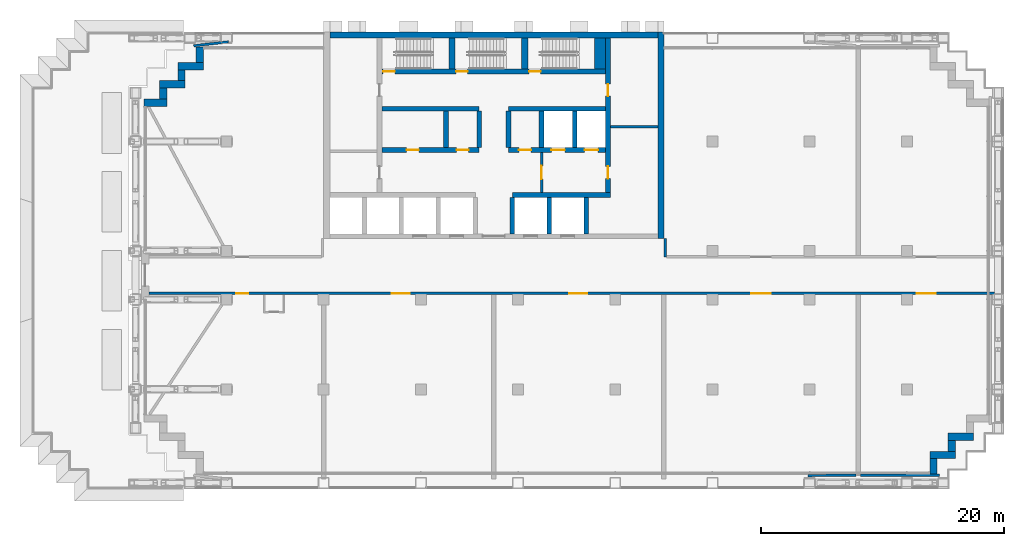
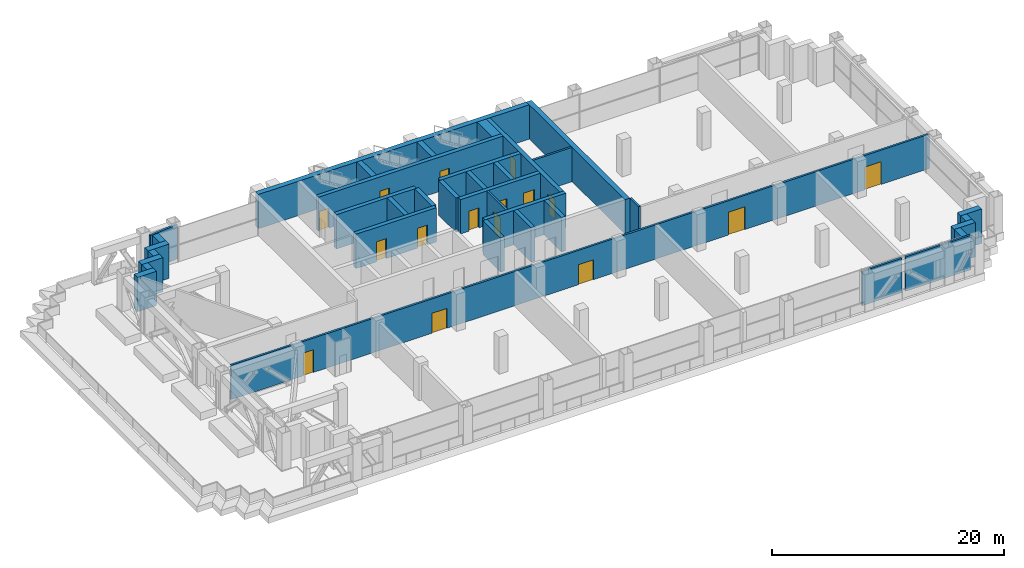
# One storey, part 9 of 19: 37 walls, 16 doors, 16 openings.
"""IFC4 building model written with IfcOpenShell, lengths in metres."""

from ifc_helpers import new_model, si_unit, direction, frame, frame_2d, origin, place, context, subcontext, project, spatial, rectangle, extrude, material, layer, layer_set, type_object, element, fill, save


model = new_model("IFC4")

# Units and contexts
model_context = context("Model", 3, precision=1e-05, world=origin(), true_north=direction((0.0, 1.0)))
body_context = subcontext(model_context, "Body", "Model", "MODEL_VIEW")
ifc_project = project(units=[si_unit("LENGTHUNIT", "METRE"), si_unit("AREAUNIT", "SQUARE_METRE"), si_unit("VOLUMEUNIT", "CUBIC_METRE"), si_unit("PLANEANGLEUNIT", "RADIAN"), si_unit("MASSUNIT", "GRAM", prefix="KILO")], contexts=[model_context])

# Site, building, storey
site_placement = place(None, origin())
site = spatial("IfcSite", under=ifc_project, at=site_placement, CompositionType="ELEMENT")
building_placement = place(site_placement, origin())
building = spatial("IfcBuilding", under=site, at=building_placement, Name="Vidyagriha Tower", CompositionType="ELEMENT")
storey_placement = place(building_placement, frame((0.0, 0.0, 73.60009765625)))
storey = spatial("IfcBuildingStorey", under=building, at=storey_placement, Name="L18", CompositionType="ELEMENT", Elevation=73.60009765625)

# Walls
ifc_material_1 = material(Name="Precast concrete C40/50 with brick facing", Category="concrete")
ifc_layer_1 = layer(ifc_material_1, 0.60009765625)
ifc_layer_set_1 = layer_set([ifc_layer_1], Name="Precast concrete C40/50 with brick facing")
wall_type_1 = type_object("IfcWallType", Name="Brick-faced precast wall 600", PredefinedType="STANDARD", material=ifc_layer_set_1)
wall_1_placement = place(storey_placement, frame((-24.199951171875, 18.780029296875, 0.0), z_axis=(0.0, 0.0, 1.0), x_axis=(0.0, -1.0, 0.0)))
element("IfcWall", 1, at=wall_1_placement, inside=storey, type_object=wall_type_1, Name="Stepped corner wall L18 R10", PredefinedType="STANDARD", context=body_context, shape_type="SweptSolid", body=[
    extrude(rectangle(XDim=1.280029296875, YDim=0.60009765625, at=frame_2d((0.64013671875, 0.0))), origin(), (0.0, 0.0, 1.0), 3.619873046875),
])
wall_2_placement = place(storey_placement, frame((-23.89990234375, 17.199951171875, 0.0), z_axis=(0.0, 0.0, 1.0), x_axis=(-1.0, 0.0, 0.0)))
element("IfcWall", 2, at=wall_2_placement, inside=storey, type_object=wall_type_1, Name="Stepped corner wall L18 R11", PredefinedType="STANDARD", context=body_context, shape_type="SweptSolid", body=[
    extrude(rectangle(XDim=2.10009765625, YDim=0.60009765625, at=frame_2d((1.050048828125, 0.0))), origin(), (0.0, 0.0, 1.0), 3.619873046875),
])
wall_3_placement = place(storey_placement, frame((-25.699951171875, 16.89990234375, 0.0), z_axis=(0.0, 0.0, 1.0), x_axis=(0.0, -1.0, 0.0)))
element("IfcWall", 3, at=wall_3_placement, inside=storey, type_object=wall_type_1, Name="Stepped corner wall L18 R12", PredefinedType="STANDARD", context=body_context, shape_type="SweptSolid", body=[
    extrude(rectangle(XDim=0.89990234375, YDim=0.60009765625, at=frame_2d((0.449951171875, 0.0))), origin(), (0.0, 0.0, 1.0), 3.619873046875),
])
wall_4_placement = place(storey_placement, frame((-25.39990234375, 15.699951171875, 0.0), z_axis=(0.0, 0.0, 1.0), x_axis=(-1.0, 0.0, 0.0)))
element("IfcWall", 4, at=wall_4_placement, inside=storey, type_object=wall_type_1, Name="Stepped corner wall L18 R13", PredefinedType="STANDARD", context=body_context, shape_type="SweptSolid", body=[
    extrude(rectangle(XDim=2.10009765625, YDim=0.60009765625, at=frame_2d((1.050048828125, 0.0))), origin(), (0.0, 0.0, 1.0), 3.619873046875),
])
wall_5_placement = place(storey_placement, frame((-27.199951171875, 15.39990234375, 0.0), z_axis=(0.0, 0.0, 1.0), x_axis=(0.0, -1.0, 0.0)))
element("IfcWall", 5, at=wall_5_placement, inside=storey, type_object=wall_type_1, Name="Stepped corner wall L18 R14", PredefinedType="STANDARD", context=body_context, shape_type="SweptSolid", body=[
    extrude(rectangle(XDim=0.89990234375, YDim=0.60009765625, at=frame_2d((0.449951171875, 0.0))), origin(), (0.0, 0.0, 1.0), 3.619873046875),
])
wall_6_placement = place(storey_placement, frame((-26.89990234375, 14.199951171875, 0.0), z_axis=(0.0, 0.0, 1.0), x_axis=(-1.0, 0.0, 0.0)))
element("IfcWall", 6, at=wall_6_placement, inside=storey, type_object=wall_type_1, Name="Stepped corner wall L18 R15", PredefinedType="STANDARD", context=body_context, shape_type="SweptSolid", body=[
    extrude(rectangle(XDim=1.880126953125, YDim=0.60009765625, at=frame_2d((0.93994140625, 0.0))), origin(), (0.0, 0.0, 1.0), 3.619873046875),
])
wall_7_placement = place(storey_placement, frame((36.199951171875, -16.3798828125, 0.0), z_axis=(0.0, 0.0, 1.0), x_axis=(0.0, 1.0, 0.0)))
element("IfcWall", 7, at=wall_7_placement, inside=storey, type_object=wall_type_1, Name="Stepped corner wall L18 R24", PredefinedType="STANDARD", context=body_context, shape_type="SweptSolid", body=[
    extrude(rectangle(XDim=1.27978515625, YDim=0.60009765625, at=frame_2d((0.639892578125, 0.0))), origin(), (0.0, 0.0, 1.0), 3.619873046875),
])
wall_8_placement = place(storey_placement, frame((35.89990234375, -14.800048828125, 0.0)))
element("IfcWall", 8, at=wall_8_placement, inside=storey, type_object=wall_type_1, Name="Stepped corner wall L18 R25", PredefinedType="STANDARD", context=body_context, shape_type="SweptSolid", body=[
    extrude(rectangle(XDim=2.10009765625, YDim=0.60009765625, at=frame_2d((1.050048828125, 0.0))), origin(), (0.0, 0.0, 1.0), 3.619873046875),
])
wall_9_placement = place(storey_placement, frame((37.699951171875, -14.5, 0.0), z_axis=(0.0, 0.0, 1.0), x_axis=(0.0, 1.0, 0.0)))
element("IfcWall", 9, at=wall_9_placement, inside=storey, type_object=wall_type_1, Name="Stepped corner wall L18 R26", PredefinedType="STANDARD", context=body_context, shape_type="SweptSolid", body=[
    extrude(rectangle(XDim=0.89990234375, YDim=0.60009765625, at=frame_2d((0.449951171875, 0.0))), origin(), (0.0, 0.0, 1.0), 3.619873046875),
])
wall_10_placement = place(storey_placement, frame((37.39990234375, -13.300048828125, 0.0)))
element("IfcWall", 10, at=wall_10_placement, inside=storey, type_object=wall_type_1, Name="Stepped corner wall L18 R27", PredefinedType="STANDARD", context=body_context, shape_type="SweptSolid", body=[
    extrude(rectangle(XDim=2.10009765625, YDim=0.60009765625, at=frame_2d((1.050048828125, 0.0))), origin(), (0.0, 0.0, 1.0), 3.619873046875),
])

# Wall, openings, doors
ifc_material_2 = material(Name="Concrete C60/75", Category="concrete")
ifc_layer_2 = layer(ifc_material_2, 0.39990234375)
ifc_layer_set_2 = layer_set([ifc_layer_2], Name="Concrete C60/75")
wall_type_2 = type_object("IfcWallType", Name="Core shear wall 400 mm", PredefinedType="SHEAR", material=ifc_layer_set_2)
wall_11_placement = place(storey_placement, frame((9.39990234375, 6.800048828125, 0.0), z_axis=(0.0, 0.0, 1.0), x_axis=(0.0, 1.0, 0.0)))
wall_11 = element("IfcWall", 11, at=wall_11_placement, inside=storey, type_object=wall_type_2, Name="Core east spine wall", PredefinedType="SHEAR", context=body_context, shape_type="SweptSolid", body=[
    extrude(rectangle(XDim=12.699951171875, YDim=0.39990234375, at=frame_2d((6.35009765625, 0.0))), origin(), (0.0, 0.0, 1.0), 3.619873046875),
])
opening_1_placement = place(wall_11_placement, frame((1.14990234375, 0.0, 0.0)))
opening_1 = element("IfcOpeningElement", 12, at=opening_1_placement, cuts=wall_11, Name="Opening D18-12", PredefinedType="OPENING", context=body_context, shape_type="SweptSolid", body=[
    extrude(rectangle(XDim=1.0, YDim=2.10009765625, at=frame_2d((0.5, 1.050048828125))), frame((0.0, 0.2099609375, 0.0), z_axis=(0.0, -1.0, 0.0), x_axis=(1.0, 0.0, 0.0)), (0.0, 0.0, 1.0), 0.419921875),
])
opening_2_placement = place(wall_11_placement, frame((7.925048828125, 0.0, 0.0)))
opening_2 = element("IfcOpeningElement", 13, at=opening_2_placement, cuts=wall_11, Name="Opening D18-13", PredefinedType="OPENING", context=body_context, shape_type="SweptSolid", body=[
    extrude(rectangle(XDim=1.0, YDim=2.10009765625, at=frame_2d((0.5, 1.050048828125))), frame((0.0, 0.2099609375, 0.0), z_axis=(0.0, -1.0, 0.0), x_axis=(1.0, 0.0, 0.0)), (0.0, 0.0, 1.0), 0.419921875),
])
ifc_material_3 = material(Name="Hollow metal door leaf")
door_type_1 = type_object("IfcDoorType", Name="Core room door 1000 x 2100 mm EI 60", OperationType="NOTDEFINED", PredefinedType="DOOR", material=ifc_material_3)
door_1_placement = place(opening_1_placement, origin())
door_1 = element("IfcDoor", 14, at=door_1_placement, inside=storey, type_object=door_type_1, Name="Door Riser Room 18.E1", OperationType="SINGLE_SWING_RIGHT", OverallHeight=2.10009765625, OverallWidth=1.0, PredefinedType="DOOR", context=body_context, shape_type="SweptSolid", body=[
    extrude(rectangle(XDim=1.0, YDim=2.10009765625, at=frame_2d((0.5, 1.050048828125))), frame((0.0, 0.02490234375, 0.0), z_axis=(0.0, -1.0, 0.0), x_axis=(1.0, 0.0, 0.0)), (0.0, 0.0, 1.0), 0.050048828125),
])
fill(opening_1, door_1)
door_2_placement = place(opening_2_placement, origin())
door_2 = element("IfcDoor", 15, at=door_2_placement, inside=storey, type_object=door_type_1, Name="Door Switchgear Room 18.E2", OperationType="SINGLE_SWING_LEFT", OverallHeight=2.10009765625, OverallWidth=1.0, PredefinedType="DOOR", context=body_context, shape_type="SweptSolid", body=[
    extrude(rectangle(XDim=1.0, YDim=2.10009765625, at=frame_2d((0.5, 1.050048828125))), frame((0.0, 0.02490234375, 0.0), z_axis=(0.0, -1.0, 0.0), x_axis=(1.0, 0.0, 0.0)), (0.0, 0.0, 1.0), 0.050048828125),
])
fill(opening_2, door_2)

# Walls
wall_12_placement = place(storey_placement, frame((1.522216796875, 6.60009765625, 0.0)))
element("IfcWall", 16, at=wall_12_placement, inside=storey, type_object=wall_type_2, Name="Core lobby south wall east", PredefinedType="SHEAR", context=body_context, shape_type="SweptSolid", body=[
    extrude(rectangle(XDim=8.077880859375, YDim=0.39990234375, at=frame_2d((4.0390625, 0.0))), origin(), (0.0, 0.0, 1.0), 3.619873046875),
])
for number, where, z_axis, x_axis, name in (
    (17, (1.522216796875, 3.39990234375, 0.0), (0.0, 0.0, 1.0), (0.0, 1.0, 0.0), "Core bay wall S5"),
    (18, (4.566650390625, 3.39990234375, 0.0), (0.0, 0.0, 1.0), (0.0, 1.0, 0.0), "Core bay wall S6"),
    (19, (7.611083984375, 3.39990234375, 0.0), (0.0, 0.0, 1.0), (0.0, 1.0, 0.0), "Core bay wall S7"),
):
    element("IfcWall", number, at=place(storey_placement, frame(where, z_axis=z_axis, x_axis=x_axis)), inside=storey, type_object=wall_type_2, Name=name, PredefinedType="SHEAR", context=body_context, shape_type="SweptSolid", body=[
        extrude(rectangle(XDim=3.0, YDim=0.39990234375, at=frame_2d((1.5, 0.0))), origin(), (0.0, 0.0, 1.0), 3.619873046875),
    ])

# Wall, openings, doors
wall_13_placement = place(storey_placement, frame((-9.199951171875, 10.300048828125, 0.0)))
wall_13 = element("IfcWall", 20, at=wall_13_placement, inside=storey, type_object=wall_type_2, Name="Core row N front wall", PredefinedType="SHEAR", context=body_context, shape_type="SweptSolid", body=[
    extrude(rectangle(XDim=8.0, YDim=0.39990234375, at=frame_2d((4.0, 0.0))), origin(), (0.0, 0.0, 1.0), 3.619873046875),
])
opening_3_placement = place(wall_13_placement, frame((2.033203125, 0.0, 0.0)))
opening_3 = element("IfcOpeningElement", 21, at=opening_3_placement, cuts=wall_13, Name="Opening D18-03", PredefinedType="OPENING", context=body_context, shape_type="SweptSolid", body=[
    extrude(rectangle(XDim=1.0, YDim=2.10009765625, at=frame_2d((0.5, 1.050048828125))), frame((0.0, 0.2099609375, 0.0), z_axis=(0.0, -1.0, 0.0), x_axis=(1.0, 0.0, 0.0)), (0.0, 0.0, 1.0), 0.419921875),
])
opening_4_placement = place(wall_13_placement, frame((6.13330078125, 0.0, 0.0)))
opening_4 = element("IfcOpeningElement", 22, at=opening_4_placement, cuts=wall_13, Name="Opening D18-04", PredefinedType="OPENING", context=body_context, shape_type="SweptSolid", body=[
    extrude(rectangle(XDim=1.0, YDim=2.10009765625, at=frame_2d((0.5, 1.050048828125))), frame((0.0, 0.2099609375, 0.0), z_axis=(0.0, -1.0, 0.0), x_axis=(1.0, 0.0, 0.0)), (0.0, 0.0, 1.0), 0.419921875),
])
door_3_placement = place(opening_3_placement, frame((1.0, 0.0, 0.0), z_axis=(0.0, 0.0, 1.0), x_axis=(-1.0, 0.0, 0.0)))
door_3 = element("IfcDoor", 23, at=door_3_placement, inside=storey, type_object=door_type_1, Name="Door Storage Room 18.14", OperationType="SINGLE_SWING_RIGHT", OverallHeight=2.10009765625, OverallWidth=1.0, PredefinedType="DOOR", context=body_context, shape_type="SweptSolid", body=[
    extrude(rectangle(XDim=1.0, YDim=2.10009765625, at=frame_2d((0.5, 1.050048828125))), frame((0.0, 0.02490234375, 0.0), z_axis=(0.0, -1.0, 0.0), x_axis=(1.0, 0.0, 0.0)), (0.0, 0.0, 1.0), 0.050048828125),
])
fill(opening_3, door_3)
door_4_placement = place(opening_4_placement, frame((1.0, 0.0, 0.0), z_axis=(0.0, 0.0, 1.0), x_axis=(-1.0, 0.0, 0.0)))
door_4 = element("IfcDoor", 24, at=door_4_placement, inside=storey, type_object=door_type_1, Name="Door Communications Room 18.15", OperationType="SINGLE_SWING_LEFT", OverallHeight=2.10009765625, OverallWidth=1.0, PredefinedType="DOOR", context=body_context, shape_type="SweptSolid", body=[
    extrude(rectangle(XDim=1.0, YDim=2.10009765625, at=frame_2d((0.5, 1.050048828125))), frame((0.0, 0.02490234375, 0.0), z_axis=(0.0, -1.0, 0.0), x_axis=(1.0, 0.0, 0.0)), (0.0, 0.0, 1.0), 0.050048828125),
])
fill(opening_4, door_4)

# Wall
wall_14_placement = place(storey_placement, frame((-9.199951171875, 13.699951171875, 0.0)))
element("IfcWall", 25, at=wall_14_placement, inside=storey, type_object=wall_type_2, Name="Core row N rear wall", PredefinedType="SHEAR", context=body_context, shape_type="SweptSolid", body=[
    extrude(rectangle(XDim=8.0, YDim=0.39990234375, at=frame_2d((4.0, 0.0))), origin(), (0.0, 0.0, 1.0), 3.619873046875),
])

# Wall, openings, doors
wall_15_placement = place(storey_placement, frame((1.199951171875, 10.300048828125, 0.0)))
wall_15 = element("IfcWall", 26, at=wall_15_placement, inside=storey, type_object=wall_type_2, Name="Core row N front wall", PredefinedType="SHEAR", context=body_context, shape_type="SweptSolid", body=[
    extrude(rectangle(XDim=8.0, YDim=0.39990234375, at=frame_2d((4.0, 0.0))), origin(), (0.0, 0.0, 1.0), 3.619873046875),
])
opening_5_placement = place(wall_15_placement, frame((3.550048828125, 0.0, 0.0)))
opening_5 = element("IfcOpeningElement", 27, at=opening_5_placement, cuts=wall_15, Name="Opening LD18-05", PredefinedType="OPENING", context=body_context, shape_type="SweptSolid", body=[
    extrude(rectangle(XDim=1.10009765625, YDim=2.10009765625, at=frame_2d((0.550048828125, 1.050048828125))), frame((0.0, 0.2099609375, 0.0), z_axis=(0.0, -1.0, 0.0), x_axis=(1.0, 0.0, 0.0)), (0.0, 0.0, 1.0), 0.419921875),
])
opening_6_placement = place(wall_15_placement, frame((6.283203125, 0.0, 0.0)))
opening_6 = element("IfcOpeningElement", 28, at=opening_6_placement, cuts=wall_15, Name="Opening LD18-06", PredefinedType="OPENING", context=body_context, shape_type="SweptSolid", body=[
    extrude(rectangle(XDim=1.10009765625, YDim=2.10009765625, at=frame_2d((0.550048828125, 1.050048828125))), frame((0.0, 0.2099609375, 0.0), z_axis=(0.0, -1.0, 0.0), x_axis=(1.0, 0.0, 0.0)), (0.0, 0.0, 1.0), 0.419921875),
])
opening_7_placement = place(wall_15_placement, frame((0.86669921875, 0.0, 0.0)))
opening_7 = element("IfcOpeningElement", 29, at=opening_7_placement, cuts=wall_15, Name="Opening D18-05", PredefinedType="OPENING", context=body_context, shape_type="SweptSolid", body=[
    extrude(rectangle(XDim=1.0, YDim=2.10009765625, at=frame_2d((0.5, 1.050048828125))), frame((0.0, 0.2099609375, 0.0), z_axis=(0.0, -1.0, 0.0), x_axis=(1.0, 0.0, 0.0)), (0.0, 0.0, 1.0), 0.419921875),
])
door_5_placement = place(opening_7_placement, frame((1.0, 0.0, 0.0), z_axis=(0.0, 0.0, 1.0), x_axis=(-1.0, 0.0, 0.0)))
door_5 = element("IfcDoor", 30, at=door_5_placement, inside=storey, type_object=door_type_1, Name="Door Refuse Room 18.16", OperationType="SINGLE_SWING_LEFT", OverallHeight=2.10009765625, OverallWidth=1.0, PredefinedType="DOOR", context=body_context, shape_type="SweptSolid", body=[
    extrude(rectangle(XDim=1.0, YDim=2.10009765625, at=frame_2d((0.5, 1.050048828125))), frame((0.0, 0.02490234375, 0.0), z_axis=(0.0, -1.0, 0.0), x_axis=(1.0, 0.0, 0.0)), (0.0, 0.0, 1.0), 0.050048828125),
])
fill(opening_7, door_5)
ifc_material_4 = material(Name="Stainless steel sliding door panel", Category="steel")
door_type_2 = type_object("IfcDoorType", Name="Lift landing door 1100 x 2100 mm EI 90", OperationType="NOTDEFINED", PredefinedType="DOOR", material=ifc_material_4)
door_6_placement = place(opening_5_placement, origin())
door_6 = element("IfcDoor", 31, at=door_6_placement, inside=storey, type_object=door_type_2, Name="Landing door FF1 L18", OperationType="SLIDING_TO_LEFT", OverallHeight=2.10009765625, OverallWidth=1.10009765625, PredefinedType="DOOR", context=body_context, shape_type="SweptSolid", body=[
    extrude(rectangle(XDim=1.10009765625, YDim=2.10009765625, at=frame_2d((0.550048828125, 1.050048828125))), frame((0.0, 0.02490234375, 0.0), z_axis=(0.0, -1.0, 0.0), x_axis=(1.0, 0.0, 0.0)), (0.0, 0.0, 1.0), 0.050048828125),
])
fill(opening_5, door_6)
door_7_placement = place(opening_6_placement, origin())
door_7 = element("IfcDoor", 32, at=door_7_placement, inside=storey, type_object=door_type_2, Name="Landing door FF2 L18", OperationType="SLIDING_TO_LEFT", OverallHeight=2.10009765625, OverallWidth=1.10009765625, PredefinedType="DOOR", context=body_context, shape_type="SweptSolid", body=[
    extrude(rectangle(XDim=1.10009765625, YDim=2.10009765625, at=frame_2d((0.550048828125, 1.050048828125))), frame((0.0, 0.02490234375, 0.0), z_axis=(0.0, -1.0, 0.0), x_axis=(1.0, 0.0, 0.0)), (0.0, 0.0, 1.0), 0.050048828125),
])
fill(opening_6, door_7)

# Walls
wall_16_placement = place(storey_placement, frame((1.199951171875, 13.699951171875, 0.0)))
element("IfcWall", 33, at=wall_16_placement, inside=storey, type_object=wall_type_2, Name="Core row N rear wall", PredefinedType="SHEAR", context=body_context, shape_type="SweptSolid", body=[
    extrude(rectangle(XDim=8.0, YDim=0.39990234375, at=frame_2d((4.0, 0.0))), origin(), (0.0, 0.0, 1.0), 3.619873046875),
])
for number, where, z_axis, x_axis, name in (
    (34, (-3.933349609375, 10.5, 0.0), (0.0, 0.0, 1.0), (0.0, 1.0, 0.0), "Core bay wall N2"),
    (35, (-1.199951171875, 10.5, 0.0), (0.0, 0.0, 1.0), (0.0, 1.0, 0.0), "Core bay wall N3"),
    (36, (1.199951171875, 10.5, 0.0), (0.0, 0.0, 1.0), (0.0, 1.0, 0.0), "Core bay wall N4"),
    (37, (3.933349609375, 10.5, 0.0), (0.0, 0.0, 1.0), (0.0, 1.0, 0.0), "Core bay wall N5"),
    (38, (6.666748046875, 10.5, 0.0), (0.0, 0.0, 1.0), (0.0, 1.0, 0.0), "Core bay wall N6"),
):
    element("IfcWall", number, at=place(storey_placement, frame(where, z_axis=z_axis, x_axis=x_axis)), inside=storey, type_object=wall_type_2, Name=name, PredefinedType="SHEAR", context=body_context, shape_type="SweptSolid", body=[
        extrude(rectangle(XDim=3.0, YDim=0.39990234375, at=frame_2d((1.5, 0.0))), origin(), (0.0, 0.0, 1.0), 3.619873046875),
    ])

# Wall, openings, doors
wall_17_placement = place(storey_placement, frame((-9.199951171875, 16.75, 0.0)))
wall_17 = element("IfcWall", 39, at=wall_17_placement, inside=storey, type_object=wall_type_2, Name="Stair front wall", PredefinedType="SHEAR", context=body_context, shape_type="SweptSolid", body=[
    extrude(rectangle(XDim=18.39990234375, YDim=0.39990234375, at=frame_2d((9.199951171875, 0.0))), origin(), (0.0, 0.0, 1.0), 3.619873046875),
])
opening_8_placement = place(wall_17_placement, frame((0.10009765625, 0.0, 0.0)))
opening_8 = element("IfcOpeningElement", 40, at=opening_8_placement, cuts=wall_17, Name="Opening D18-07", PredefinedType="OPENING", context=body_context, shape_type="SweptSolid", body=[
    extrude(rectangle(XDim=0.949951171875, YDim=2.10009765625, at=frame_2d((0.47509765625, 1.050048828125))), frame((0.0, 0.2099609375, 0.0), z_axis=(0.0, -1.0, 0.0), x_axis=(1.0, 0.0, 0.0)), (0.0, 0.0, 1.0), 0.419921875),
])
opening_9_placement = place(wall_17_placement, frame((6.10009765625, 0.0, 0.0)))
opening_9 = element("IfcOpeningElement", 41, at=opening_9_placement, cuts=wall_17, Name="Opening D18-08", PredefinedType="OPENING", context=body_context, shape_type="SweptSolid", body=[
    extrude(rectangle(XDim=0.949951171875, YDim=2.10009765625, at=frame_2d((0.47509765625, 1.050048828125))), frame((0.0, 0.2099609375, 0.0), z_axis=(0.0, -1.0, 0.0), x_axis=(1.0, 0.0, 0.0)), (0.0, 0.0, 1.0), 0.419921875),
])
opening_10_placement = place(wall_17_placement, frame((12.10009765625, 0.0, 0.0)))
opening_10 = element("IfcOpeningElement", 42, at=opening_10_placement, cuts=wall_17, Name="Opening D18-09", PredefinedType="OPENING", context=body_context, shape_type="SweptSolid", body=[
    extrude(rectangle(XDim=0.949951171875, YDim=2.10009765625, at=frame_2d((0.47509765625, 1.050048828125))), frame((0.0, 0.2099609375, 0.0), z_axis=(0.0, -1.0, 0.0), x_axis=(1.0, 0.0, 0.0)), (0.0, 0.0, 1.0), 0.419921875),
])
ifc_material_5 = material(Name="Hollow metal door leaf")
door_type_3 = type_object("IfcDoorType", Name="Exit stair door 950 x 2100 mm EI 90", OperationType="NOTDEFINED", PredefinedType="DOOR", material=ifc_material_5)
door_8_placement = place(opening_8_placement, origin())
door_8 = element("IfcDoor", 43, at=door_8_placement, inside=storey, type_object=door_type_3, Name="Stair door ST1 L18", OperationType="SINGLE_SWING_LEFT", OverallHeight=2.10009765625, OverallWidth=0.949951171875, PredefinedType="DOOR", context=body_context, shape_type="SweptSolid", body=[
    extrude(rectangle(XDim=0.949951171875, YDim=2.10009765625, at=frame_2d((0.47509765625, 1.050048828125))), frame((0.0, 0.02490234375, 0.0), z_axis=(0.0, -1.0, 0.0), x_axis=(1.0, 0.0, 0.0)), (0.0, 0.0, 1.0), 0.050048828125),
])
fill(opening_8, door_8)
door_9_placement = place(opening_9_placement, origin())
door_9 = element("IfcDoor", 44, at=door_9_placement, inside=storey, type_object=door_type_3, Name="Stair door ST2 L18", OperationType="SINGLE_SWING_LEFT", OverallHeight=2.10009765625, OverallWidth=0.949951171875, PredefinedType="DOOR", context=body_context, shape_type="SweptSolid", body=[
    extrude(rectangle(XDim=0.949951171875, YDim=2.10009765625, at=frame_2d((0.47509765625, 1.050048828125))), frame((0.0, 0.02490234375, 0.0), z_axis=(0.0, -1.0, 0.0), x_axis=(1.0, 0.0, 0.0)), (0.0, 0.0, 1.0), 0.050048828125),
])
fill(opening_9, door_9)
door_10_placement = place(opening_10_placement, origin())
door_10 = element("IfcDoor", 45, at=door_10_placement, inside=storey, type_object=door_type_3, Name="Stair door ST3 L18", OperationType="SINGLE_SWING_LEFT", OverallHeight=2.10009765625, OverallWidth=0.949951171875, PredefinedType="DOOR", context=body_context, shape_type="SweptSolid", body=[
    extrude(rectangle(XDim=0.949951171875, YDim=2.10009765625, at=frame_2d((0.47509765625, 1.050048828125))), frame((0.0, 0.02490234375, 0.0), z_axis=(0.0, -1.0, 0.0), x_axis=(1.0, 0.0, 0.0)), (0.0, 0.0, 1.0), 0.050048828125),
])
fill(opening_10, door_10)

# Walls
ifc_material_6 = material(Name="Concrete C60/75", Category="concrete")
ifc_layer_3 = layer(ifc_material_6, 0.5)
ifc_layer_set_3 = layer_set([ifc_layer_3], Name="Concrete C60/75")
wall_type_3 = type_object("IfcWallType", Name="Core shear wall 500 mm", PredefinedType="SHEAR", material=ifc_layer_set_3)
wall_18_placement = place(storey_placement, frame((13.75, 3.0, 0.0), z_axis=(0.0, 0.0, 1.0), x_axis=(0.0, 1.0, 0.0)))
element("IfcWall", 46, at=wall_18_placement, inside=storey, type_object=wall_type_3, Name="Core east wall", PredefinedType="SHEAR", context=body_context, shape_type="SweptSolid", body=[
    extrude(rectangle(XDim=17.0, YDim=0.5, at=frame_2d((8.5, 0.0))), origin(), (0.0, 0.0, 1.0), 3.619873046875),
])
wall_19_placement = place(storey_placement, frame((-13.5, 19.75, 0.0)))
element("IfcWall", 47, at=wall_19_placement, inside=storey, type_object=wall_type_3, Name="Core north wall", PredefinedType="SHEAR", context=body_context, shape_type="SweptSolid", body=[
    extrude(rectangle(XDim=27.0, YDim=0.5, at=frame_2d((13.5, 0.0))), origin(), (0.0, 0.0, 1.0), 3.619873046875),
])
for number, where, z_axis, x_axis, name in (
    (48, (-3.449951171875, 16.949951171875, 0.0), (0.0, 0.0, 1.0), (0.0, 1.0, 0.0), "Stair partition wall 1"),
    (49, (2.550048828125, 16.949951171875, 0.0), (0.0, 0.0, 1.0), (0.0, 1.0, 0.0), "Stair partition wall 2"),
):
    element("IfcWall", number, at=place(storey_placement, frame(where, z_axis=z_axis, x_axis=x_axis)), inside=storey, type_object=wall_type_3, Name=name, PredefinedType="SHEAR", context=body_context, shape_type="SweptSolid", body=[
        extrude(rectangle(XDim=2.550048828125, YDim=0.5, at=frame_2d((1.27490234375, 0.0))), origin(), (0.0, 0.0, 1.0), 3.619873046875),
    ])
ifc_material_7 = material(Name="Concrete C60/75", Category="concrete")
ifc_layer_4 = layer(ifc_material_7, 0.89990234375)
ifc_layer_set_4 = layer_set([ifc_layer_4], Name="Concrete C60/75")
wall_type_4 = type_object("IfcWallType", Name="Core shear wall 900 mm", PredefinedType="SHEAR", material=ifc_layer_set_4)
wall_20_placement = place(storey_placement, frame((8.75, 16.949951171875, 0.0), z_axis=(0.0, 0.0, 1.0), x_axis=(0.0, 1.0, 0.0)))
element("IfcWall", 50, at=wall_20_placement, inside=storey, type_object=wall_type_4, Name="Stair end wall", PredefinedType="SHEAR", context=body_context, shape_type="SweptSolid", body=[
    extrude(rectangle(XDim=2.550048828125, YDim=0.89990234375, at=frame_2d((1.27490234375, 0.0))), origin(), (0.0, 0.0, 1.0), 3.619873046875),
])

# Wall, opening, door
ifc_material_8 = material(Name="Blockwork 15 MPa", Category="masonry")
ifc_layer_5 = layer(ifc_material_8, 0.199951171875)
ifc_layer_set_5 = layer_set([ifc_layer_5], Name="Blockwork 15 MPa")
wall_type_5 = type_object("IfcWallType", Name="Service room partition 200 mm", PredefinedType="PARTITIONING", material=ifc_layer_set_5)
wall_21_placement = place(storey_placement, frame((3.933349609375, 6.800048828125, 0.0), z_axis=(0.0, 0.0, 1.0), x_axis=(0.0, 1.0, 0.0)))
wall_21 = element("IfcWall", 51, at=wall_21_placement, inside=storey, type_object=wall_type_5, Name="Fire-fighting lobby west wall", PredefinedType="PARTITIONING", context=body_context, shape_type="SweptSolid", body=[
    extrude(rectangle(XDim=3.300048828125, YDim=0.199951171875, at=frame_2d((1.64990234375, 0.0))), origin(), (0.0, 0.0, 1.0), 3.619873046875),
])
opening_11_placement = place(wall_21_placement, frame((1.10009765625, 0.0, 0.0)))
opening_11 = element("IfcOpeningElement", 52, at=opening_11_placement, cuts=wall_21, Name="Opening D18-06", PredefinedType="OPENING", context=body_context, shape_type="SweptSolid", body=[
    extrude(rectangle(XDim=1.10009765625, YDim=2.10009765625, at=frame_2d((0.550048828125, 1.050048828125))), frame((0.0, 0.10986328125, 0.0), z_axis=(0.0, -1.0, 0.0), x_axis=(1.0, 0.0, 0.0)), (0.0, 0.0, 1.0), 0.219970703125),
])
ifc_material_9 = material(Name="Hollow metal door leaf")
door_type_4 = type_object("IfcDoorType", Name="Fire-fighting lobby door 1100 x 2100 mm EI 90", OperationType="NOTDEFINED", PredefinedType="DOOR", material=ifc_material_9)
door_11_placement = place(opening_11_placement, origin())
door_11 = element("IfcDoor", 53, at=door_11_placement, inside=storey, type_object=door_type_4, Name="Fire-fighting lobby door L18", OperationType="SINGLE_SWING_RIGHT", OverallHeight=2.10009765625, OverallWidth=1.10009765625, PredefinedType="DOOR", context=body_context, shape_type="SweptSolid", body=[
    extrude(rectangle(XDim=1.10009765625, YDim=2.10009765625, at=frame_2d((0.550048828125, 1.050048828125))), frame((0.0, 0.02490234375, 0.0), z_axis=(0.0, -1.0, 0.0), x_axis=(1.0, 0.0, 0.0)), (0.0, 0.0, 1.0), 0.050048828125),
])
fill(opening_11, door_11)

# Wall
wall_22_placement = place(storey_placement, frame((9.60009765625, 12.199951171875, 0.0)))
element("IfcWall", 54, at=wall_22_placement, inside=storey, type_object=wall_type_5, Name="Core room partition E1", PredefinedType="PARTITIONING", context=body_context, shape_type="SweptSolid", body=[
    extrude(rectangle(XDim=3.89990234375, YDim=0.199951171875, at=frame_2d((1.949951171875, 0.0))), origin(), (0.0, 0.0, 1.0), 3.619873046875),
])

# Wall, openings, doors
wall_23_placement = place(storey_placement, frame((-28.39990234375, -1.5, 0.0)))
wall_23 = element("IfcWall", 55, at=wall_23_placement, inside=storey, type_object=wall_type_5, Name="Plant corridor south wall", PredefinedType="PARTITIONING", context=body_context, shape_type="SweptSolid", body=[
    extrude(rectangle(XDim=69.599853515625, YDim=0.199951171875, at=frame_2d((34.7998046875, 0.0))), origin(), (0.0, 0.0, 1.0), 3.619873046875),
])
opening_12_placement = place(wall_23_placement, frame((7.199951171875, 0.0, 0.0)))
opening_12 = element("IfcOpeningElement", 56, at=opening_12_placement, cuts=wall_23, Name="Opening D18-14", PredefinedType="OPENING", context=body_context, shape_type="SweptSolid", body=[
    extrude(rectangle(XDim=1.0, YDim=2.39990234375, at=frame_2d((0.5, 1.199951171875))), frame((0.0, 0.10986328125, 0.0), z_axis=(0.0, -1.0, 0.0), x_axis=(1.0, 0.0, 0.0)), (0.0, 0.0, 1.0), 0.219970703125),
])
opening_13_placement = place(wall_23_placement, frame((20.0, 0.0, 0.0)))
opening_13 = element("IfcOpeningElement", 57, at=opening_13_placement, cuts=wall_23, Name="Opening D18-16", PredefinedType="OPENING", context=body_context, shape_type="SweptSolid", body=[
    extrude(rectangle(XDim=1.5, YDim=2.10009765625, at=frame_2d((0.75, 1.050048828125))), frame((0.0, 0.10986328125, 0.0), z_axis=(0.0, -1.0, 0.0), x_axis=(1.0, 0.0, 0.0)), (0.0, 0.0, 1.0), 0.219970703125),
])
opening_14_placement = place(wall_23_placement, frame((34.60009765625, 0.0, 0.0)))
opening_14 = element("IfcOpeningElement", 58, at=opening_14_placement, cuts=wall_23, Name="Opening D18-17", PredefinedType="OPENING", context=body_context, shape_type="SweptSolid", body=[
    extrude(rectangle(XDim=1.5, YDim=2.10009765625, at=frame_2d((0.75, 1.050048828125))), frame((0.0, 0.10986328125, 0.0), z_axis=(0.0, -1.0, 0.0), x_axis=(1.0, 0.0, 0.0)), (0.0, 0.0, 1.0), 0.219970703125),
])
opening_15_placement = place(wall_23_placement, frame((49.60009765625, 0.0, 0.0)))
opening_15 = element("IfcOpeningElement", 59, at=opening_15_placement, cuts=wall_23, Name="Opening D18-18", PredefinedType="OPENING", context=body_context, shape_type="SweptSolid", body=[
    extrude(rectangle(XDim=1.60009765625, YDim=2.39990234375, at=frame_2d((0.800048828125, 1.199951171875))), frame((0.0, 0.10986328125, 0.0), z_axis=(0.0, -1.0, 0.0), x_axis=(1.0, 0.0, 0.0)), (0.0, 0.0, 1.0), 0.219970703125),
])
opening_16_placement = place(wall_23_placement, frame((63.199951171875, 0.0, 0.0)))
opening_16 = element("IfcOpeningElement", 60, at=opening_16_placement, cuts=wall_23, Name="Opening D18-19", PredefinedType="OPENING", context=body_context, shape_type="SweptSolid", body=[
    extrude(rectangle(XDim=1.60009765625, YDim=2.39990234375, at=frame_2d((0.800048828125, 1.199951171875))), frame((0.0, 0.10986328125, 0.0), z_axis=(0.0, -1.0, 0.0), x_axis=(1.0, 0.0, 0.0)), (0.0, 0.0, 1.0), 0.219970703125),
])
ifc_material_10 = material(Name="Hollow metal door leaf")
door_type_5 = type_object("IfcDoorType", Name="Electrical room door 1000 x 2400 mm EI 90", OperationType="NOTDEFINED", PredefinedType="DOOR", material=ifc_material_10)
door_12_placement = place(opening_12_placement, origin())
door_12 = element("IfcDoor", 61, at=door_12_placement, inside=storey, type_object=door_type_5, Name="Door Transformer Room 18.01", OperationType="SINGLE_SWING_LEFT", OverallHeight=2.39990234375, OverallWidth=1.0, PredefinedType="DOOR", context=body_context, shape_type="SweptSolid", body=[
    extrude(rectangle(XDim=1.0, YDim=2.39990234375, at=frame_2d((0.5, 1.199951171875))), frame((0.0, 0.02490234375, 0.0), z_axis=(0.0, -1.0, 0.0), x_axis=(1.0, 0.0, 0.0)), (0.0, 0.0, 1.0), 0.050048828125),
])
fill(opening_12, door_12)
ifc_material_11 = material(Name="Hollow metal door leaf")
door_type_6 = type_object("IfcDoorType", Name="Plant room double door 1600 x 2400 mm EI 90", OperationType="NOTDEFINED", PredefinedType="DOOR", material=ifc_material_11)
door_13_placement = place(opening_15_placement, origin())
door_13 = element("IfcDoor", 62, at=door_13_placement, inside=storey, type_object=door_type_6, Name="Door Smoke Extract Plant Room 18.04", OperationType="DOUBLE_DOOR_SINGLE_SWING", OverallHeight=2.39990234375, OverallWidth=1.60009765625, PredefinedType="DOOR", context=body_context, shape_type="SweptSolid", body=[
    extrude(rectangle(XDim=1.60009765625, YDim=2.39990234375, at=frame_2d((0.800048828125, 1.199951171875))), frame((0.0, 0.02490234375, 0.0), z_axis=(0.0, -1.0, 0.0), x_axis=(1.0, 0.0, 0.0)), (0.0, 0.0, 1.0), 0.050048828125),
])
fill(opening_15, door_13)
door_14_placement = place(opening_16_placement, origin())
door_14 = element("IfcDoor", 63, at=door_14_placement, inside=storey, type_object=door_type_6, Name="Door Fire Pump Room 18.05", OperationType="DOUBLE_DOOR_SINGLE_SWING", OverallHeight=2.39990234375, OverallWidth=1.60009765625, PredefinedType="DOOR", context=body_context, shape_type="SweptSolid", body=[
    extrude(rectangle(XDim=1.60009765625, YDim=2.39990234375, at=frame_2d((0.800048828125, 1.199951171875))), frame((0.0, 0.02490234375, 0.0), z_axis=(0.0, -1.0, 0.0), x_axis=(1.0, 0.0, 0.0)), (0.0, 0.0, 1.0), 0.050048828125),
])
fill(opening_16, door_14)
ifc_material_12 = material(Name="Hollow metal door leaf")
door_type_7 = type_object("IfcDoorType", Name="Refuge area double door 1500 x 2100 mm EI 90", OperationType="NOTDEFINED", PredefinedType="DOOR", material=ifc_material_12)
door_15_placement = place(opening_13_placement, origin())
door_15 = element("IfcDoor", 64, at=door_15_placement, inside=storey, type_object=door_type_7, Name="Door Refuge Area 18.1", OperationType="DOUBLE_DOOR_SINGLE_SWING", OverallHeight=2.10009765625, OverallWidth=1.5, PredefinedType="DOOR", context=body_context, shape_type="SweptSolid", body=[
    extrude(rectangle(XDim=1.5, YDim=2.10009765625, at=frame_2d((0.75, 1.050048828125))), frame((0.0, 0.02490234375, 0.0), z_axis=(0.0, -1.0, 0.0), x_axis=(1.0, 0.0, 0.0)), (0.0, 0.0, 1.0), 0.050048828125),
])
fill(opening_13, door_15)
door_16_placement = place(opening_14_placement, origin())
door_16 = element("IfcDoor", 65, at=door_16_placement, inside=storey, type_object=door_type_7, Name="Door Refuge Area 18.2", OperationType="DOUBLE_DOOR_SINGLE_SWING", OverallHeight=2.10009765625, OverallWidth=1.5, PredefinedType="DOOR", context=body_context, shape_type="SweptSolid", body=[
    extrude(rectangle(XDim=1.5, YDim=2.10009765625, at=frame_2d((0.75, 1.050048828125))), frame((0.0, 0.02490234375, 0.0), z_axis=(0.0, -1.0, 0.0), x_axis=(1.0, 0.0, 0.0)), (0.0, 0.0, 1.0), 0.050048828125),
])
fill(opening_14, door_16)

# Walls
wall_24_placement = place(storey_placement, frame((14.10009765625, 1.5, 0.0), z_axis=(0.0, 0.0, 1.0), x_axis=(0.0, 1.0, 0.0)))
element("IfcWall", 66, at=wall_24_placement, inside=storey, type_object=wall_type_5, Name="Lift hall east return wall", PredefinedType="PARTITIONING", context=body_context, shape_type="SweptSolid", body=[
    extrude(rectangle(XDim=1.5, YDim=0.199951171875, at=frame_2d((0.75, 0.0))), origin(), (0.0, 0.0, 1.0), 3.619873046875),
])
wall_25_placement = place(storey_placement, frame((25.85009765625, -16.5, 0.0), z_axis=(0.0, 0.0, 1.0), x_axis=(0.999987316845, 0.005036481787, 0.0)))
element("IfcWall", 67, at=wall_25_placement, inside=storey, type_object=wall_type_5, Name="Plant room wall", PredefinedType="PARTITIONING", context=body_context, shape_type="SweptSolid", body=[
    extrude(rectangle(XDim=3.974853515625, YDim=0.199951171875, at=frame_2d((1.9873046875, 0.0))), origin(), (0.0, 0.0, 1.0), 3.619873046875),
])
wall_26_placement = place(storey_placement, frame((30.175048828125, -16.47998046875, 0.0)))
element("IfcWall", 68, at=wall_26_placement, inside=storey, type_object=wall_type_5, Name="Plant room wall", PredefinedType="PARTITIONING", context=body_context, shape_type="SweptSolid", body=[
    extrude(rectangle(XDim=6.52490234375, YDim=0.199951171875, at=frame_2d((3.262451171875, 0.0))), origin(), (0.0, 0.0, 1.0), 3.619873046875),
])
wall_27_placement = place(storey_placement, frame((-24.699951171875, 18.8798828125, 0.0), z_axis=(0.0, 0.0, 1.0), x_axis=(0.993838284659, 0.110839812096, 0.0)))
element("IfcWall", 69, at=wall_27_placement, inside=storey, type_object=wall_type_5, Name="Plant room wall", PredefinedType="PARTITIONING", context=body_context, shape_type="SweptSolid", body=[
    extrude(rectangle(XDim=2.8876953125, YDim=0.199951171875, at=frame_2d((1.44384765625, 0.0))), origin(), (0.0, 0.0, 1.0), 3.619873046875),
])

save(model, "model.ifc")
